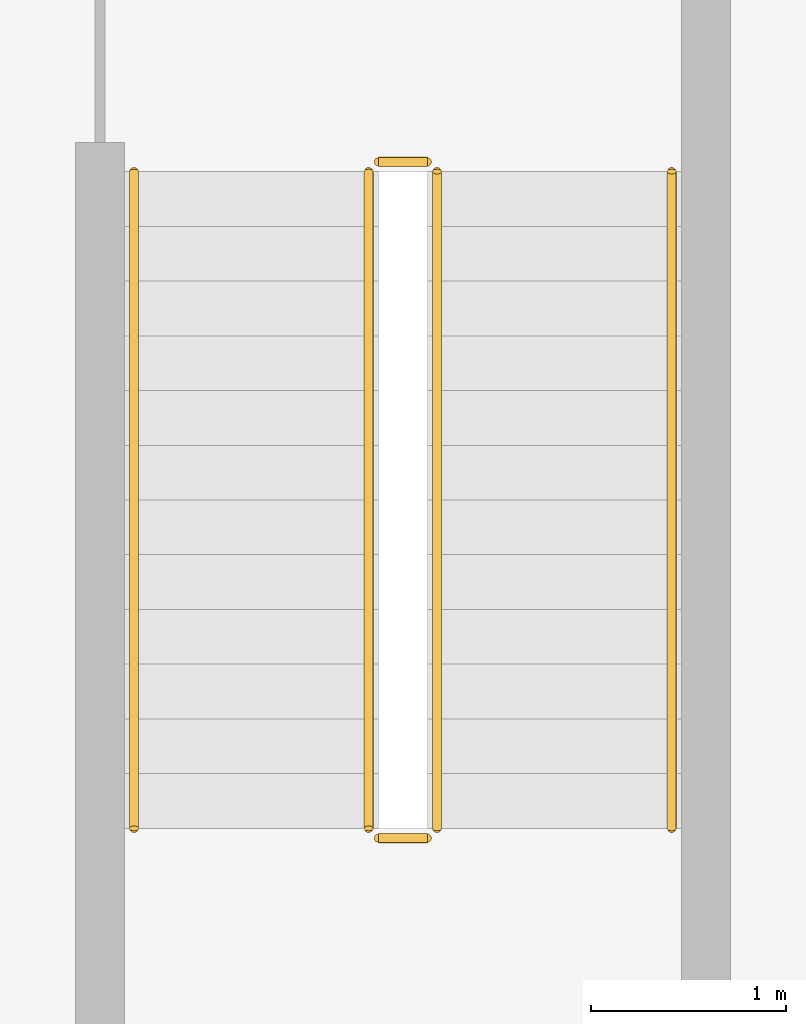
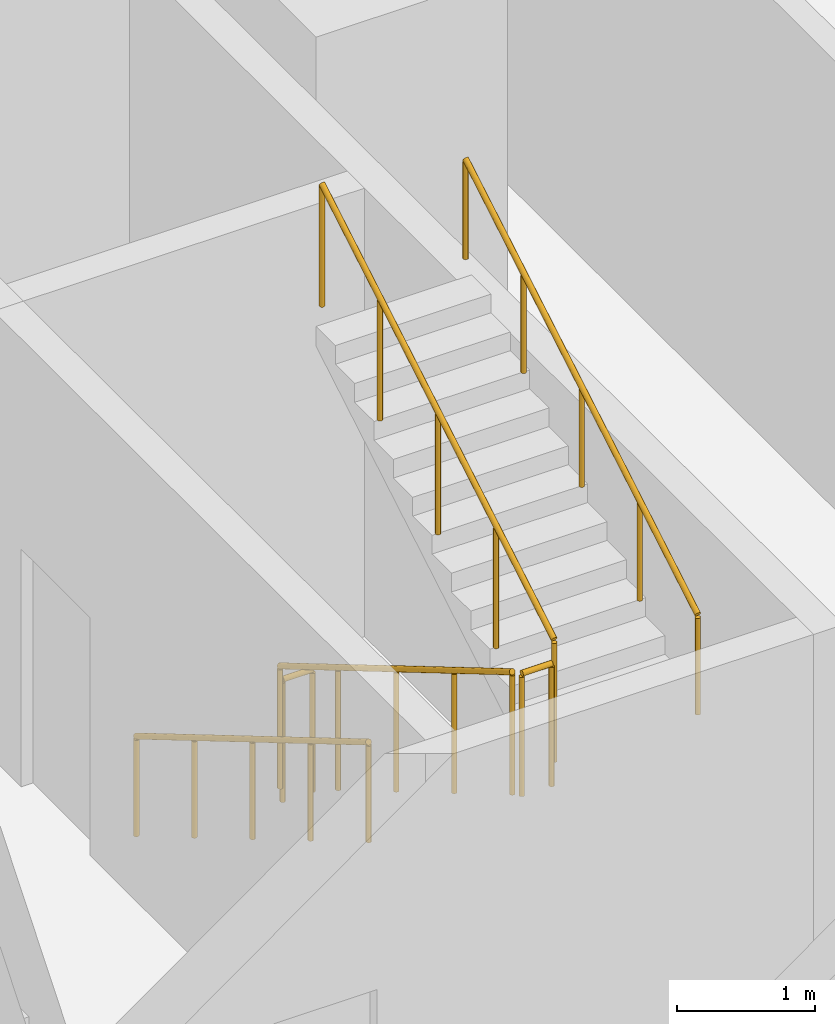
# One storey, part 22 of 26: 6 railings.
"""IFC4 building model written with IfcOpenShell, lengths in metres."""

from ifc_helpers import new_model, si_unit, direction, frame, origin, origin_2d, place, context, subcontext, project, spatial, circle, extrude, material, type_object, element, save


model = new_model("IFC4")

# Units and contexts
model_context = context("Model", 3, precision=1e-05, world=origin(), true_north=direction((0.0, 1.0)))
body_context = subcontext(model_context, "Body", "Model", "MODEL_VIEW")
ifc_project = project(units=[si_unit("LENGTHUNIT", "METRE"), si_unit("AREAUNIT", "SQUARE_METRE"), si_unit("VOLUMEUNIT", "CUBIC_METRE"), si_unit("PLANEANGLEUNIT", "RADIAN"), si_unit("MASSUNIT", "GRAM", prefix="KILO")], contexts=[model_context])

# Site, building, storey
site_placement = place(None, origin())
site = spatial("IfcSite", under=ifc_project, at=site_placement, CompositionType="ELEMENT")
building_placement = place(site_placement, origin())
building = spatial("IfcBuilding", under=site, at=building_placement, Name="Mahtab Terrace Research Tower", CompositionType="ELEMENT")
storey_placement = place(building_placement, frame((0.0, 0.0, 15.800048828125)))
storey = spatial("IfcBuildingStorey", under=building, at=storey_placement, Name="L03", CompositionType="ELEMENT", Elevation=15.800048828125)

# Railings
ifc_material = material(Name="Stainless steel AISI 304", Category="steel")
railing_type_1 = type_object("IfcRailingType", Name="Stair guard 1100", PredefinedType="GUARDRAIL", material=ifc_material)
railing_1_placement = place(storey_placement, frame((2.949951171875, -4.175048828125, 0.165283203125)))
element("IfcRailing", 1, at=railing_1_placement, inside=storey, type_object=railing_type_1, Name="L03 ST2 stair guard 1", PredefinedType="GUARDRAIL", context=body_context, shape_type="SweptSolid", body=[
    extrude(circle(Radius=0.02392578125, at=origin_2d()), frame((0.0, 0.0, 1.076171875), z_axis=(0.0, -0.861011212953, 0.508585972249), x_axis=(1.0, 0.0, 0.0)), (0.0, 0.0, 1.0), 3.90234375),
    extrude(circle(Radius=0.02099609375, at=origin_2d()), origin(), (0.0, 0.0, 1.0), 1.052001953125),
    extrude(circle(Radius=0.02099609375, at=origin_2d()), frame((0.0, -0.83984375, 0.49609375)), (0.0, 0.0, 1.0), 1.052001953125),
    extrude(circle(Radius=0.02099609375, at=origin_2d()), frame((0.0, -1.679931640625, 0.9921875)), (0.0, 0.0, 1.0), 1.052001953125),
    extrude(circle(Radius=0.02099609375, at=origin_2d()), frame((0.0, -2.52001953125, 1.488525390625)), (0.0, 0.0, 1.0), 1.052001953125),
    extrude(circle(Radius=0.02099609375, at=origin_2d()), frame((0.0, -3.35986328125, 1.984619140625)), (0.0, 0.0, 1.0), 1.052001953125),
])
railing_2_placement = place(storey_placement, frame((3.0, -7.5849609375, 2.14990234375)))
element("IfcRailing", 2, at=railing_2_placement, inside=storey, type_object=railing_type_1, Name="L03 ST2 stair guard 2", PredefinedType="GUARDRAIL", context=body_context, shape_type="SweptSolid", body=[
    extrude(circle(Radius=0.02392578125, at=origin_2d()), frame((0.0, 0.0, 1.076171875), z_axis=(1.0, 0.0, 0.0), x_axis=(0.0, 1.0, 0.0)), (0.0, 0.0, 1.0), 0.25),
    extrude(circle(Radius=0.02099609375, at=origin_2d()), origin(), (0.0, 0.0, 1.0), 1.052001953125),
    extrude(circle(Radius=0.02099609375, at=origin_2d()), frame((0.25, 0.0, 0.0)), (0.0, 0.0, 1.0), 1.052001953125),
])
railing_3_placement = place(storey_placement, frame((3.300048828125, -7.534912109375, 2.3154296875)))
element("IfcRailing", 3, at=railing_3_placement, inside=storey, type_object=railing_type_1, Name="L03 ST2 stair guard 3", PredefinedType="GUARDRAIL", context=body_context, shape_type="SweptSolid", body=[
    extrude(circle(Radius=0.02392578125, at=origin_2d()), frame((0.0, 0.0, 1.076171875), z_axis=(0.0, 0.861011212953, 0.508585972249), x_axis=(-1.0, 0.0, 0.0)), (0.0, 0.0, 1.0), 3.90234375),
    extrude(circle(Radius=0.02099609375, at=origin_2d()), origin(), (0.0, 0.0, 1.0), 1.052001953125),
    extrude(circle(Radius=0.02099609375, at=origin_2d()), frame((0.0, 0.83984375, 0.49609375)), (0.0, 0.0, 1.0), 1.052001953125),
    extrude(circle(Radius=0.02099609375, at=origin_2d()), frame((0.0, 1.679931640625, 0.9921875)), (0.0, 0.0, 1.0), 1.052001953125),
    extrude(circle(Radius=0.02099609375, at=origin_2d()), frame((0.0, 2.52001953125, 1.488525390625)), (0.0, 0.0, 1.0), 1.052001953125),
    extrude(circle(Radius=0.02099609375, at=origin_2d()), frame((0.0, 3.35986328125, 1.984619140625)), (0.0, 0.0, 1.0), 1.052001953125),
])
railing_4_placement = place(storey_placement, frame((3.0, -4.125, 0.0)))
element("IfcRailing", 4, at=railing_4_placement, inside=storey, type_object=railing_type_1, Name="L03 ST2 stair guard 4", PredefinedType="GUARDRAIL", context=body_context, shape_type="SweptSolid", body=[
    extrude(circle(Radius=0.02392578125, at=origin_2d()), frame((0.0, 0.0, 1.076171875), z_axis=(1.0, 0.0, 0.0), x_axis=(0.0, 1.0, 0.0)), (0.0, 0.0, 1.0), 0.25),
    extrude(circle(Radius=0.02099609375, at=origin_2d()), origin(), (0.0, 0.0, 1.0), 1.052001953125),
    extrude(circle(Radius=0.02099609375, at=origin_2d()), frame((0.25, 0.0, 0.0)), (0.0, 0.0, 1.0), 1.052001953125),
])
railing_type_2 = type_object("IfcRailingType", Name="Stair handrail 900", PredefinedType="HANDRAIL", material=ifc_material)
railing_5_placement = place(storey_placement, frame((1.75, -4.175048828125, 0.165283203125)))
element("IfcRailing", 5, at=railing_5_placement, inside=storey, type_object=railing_type_2, Name="L03 ST2 stair handrail 1", PredefinedType="HANDRAIL", context=body_context, shape_type="SweptSolid", body=[
    extrude(circle(Radius=0.02392578125, at=origin_2d()), frame((0.0, 0.0, 0.8759765625), z_axis=(0.0, -0.861011212953, 0.508585972249), x_axis=(1.0, 0.0, 0.0)), (0.0, 0.0, 1.0), 3.90234375),
    extrude(circle(Radius=0.02099609375, at=origin_2d()), origin(), (0.0, 0.0, 1.0), 0.851806640625),
    extrude(circle(Radius=0.02099609375, at=origin_2d()), frame((0.0, -0.83984375, 0.49609375)), (0.0, 0.0, 1.0), 0.851806640625),
    extrude(circle(Radius=0.02099609375, at=origin_2d()), frame((0.0, -1.679931640625, 0.9921875)), (0.0, 0.0, 1.0), 0.851806640625),
    extrude(circle(Radius=0.02099609375, at=origin_2d()), frame((0.0, -2.52001953125, 1.488525390625)), (0.0, 0.0, 1.0), 0.851806640625),
    extrude(circle(Radius=0.02099609375, at=origin_2d()), frame((0.0, -3.35986328125, 1.984619140625)), (0.0, 0.0, 1.0), 0.851806640625),
])
railing_6_placement = place(storey_placement, frame((4.5, -7.534912109375, 2.3154296875)))
element("IfcRailing", 6, at=railing_6_placement, inside=storey, type_object=railing_type_2, Name="L03 ST2 stair handrail 2", PredefinedType="HANDRAIL", context=body_context, shape_type="SweptSolid", body=[
    extrude(circle(Radius=0.02392578125, at=origin_2d()), frame((0.0, 0.0, 0.8759765625), z_axis=(0.0, 0.861011212953, 0.508585972249), x_axis=(-1.0, 0.0, 0.0)), (0.0, 0.0, 1.0), 3.90234375),
    extrude(circle(Radius=0.02099609375, at=origin_2d()), origin(), (0.0, 0.0, 1.0), 0.851806640625),
    extrude(circle(Radius=0.02099609375, at=origin_2d()), frame((0.0, 0.83984375, 0.49609375)), (0.0, 0.0, 1.0), 0.851806640625),
    extrude(circle(Radius=0.02099609375, at=origin_2d()), frame((0.0, 1.679931640625, 0.9921875)), (0.0, 0.0, 1.0), 0.851806640625),
    extrude(circle(Radius=0.02099609375, at=origin_2d()), frame((0.0, 2.52001953125, 1.488525390625)), (0.0, 0.0, 1.0), 0.851806640625),
    extrude(circle(Radius=0.02099609375, at=origin_2d()), frame((0.0, 3.35986328125, 1.984619140625)), (0.0, 0.0, 1.0), 0.851806640625),
])

save(model, "model.ifc")
